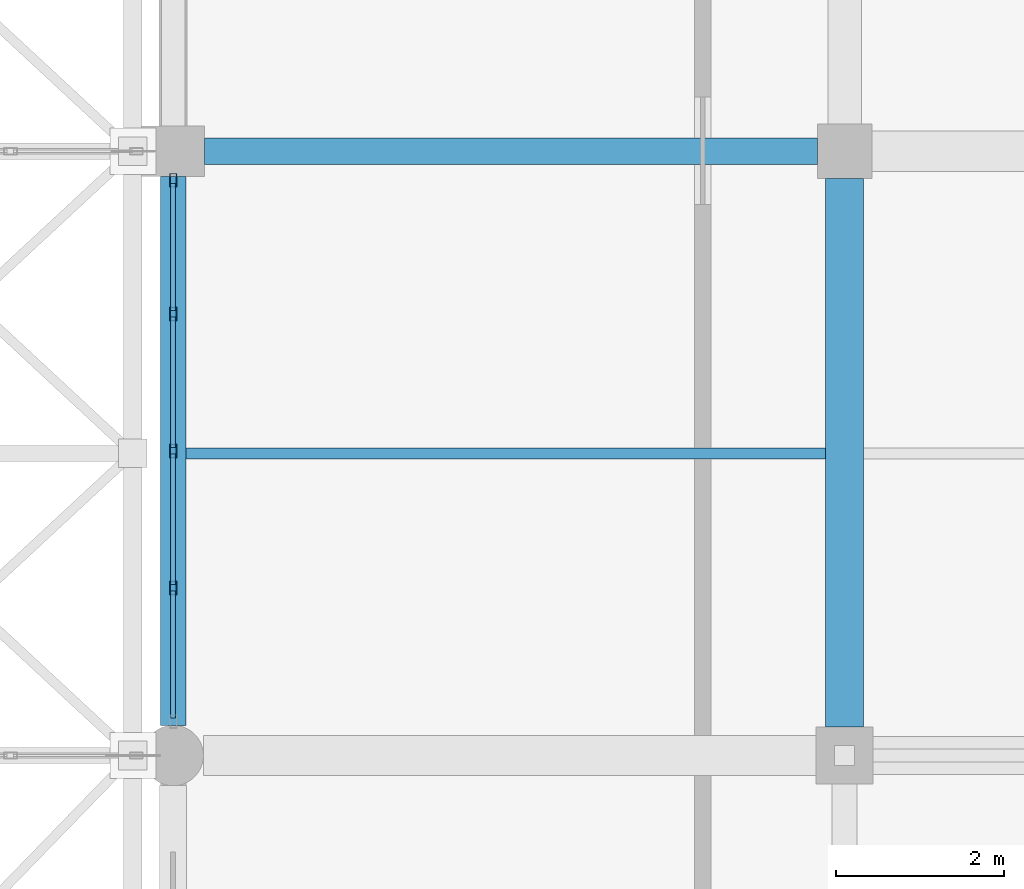
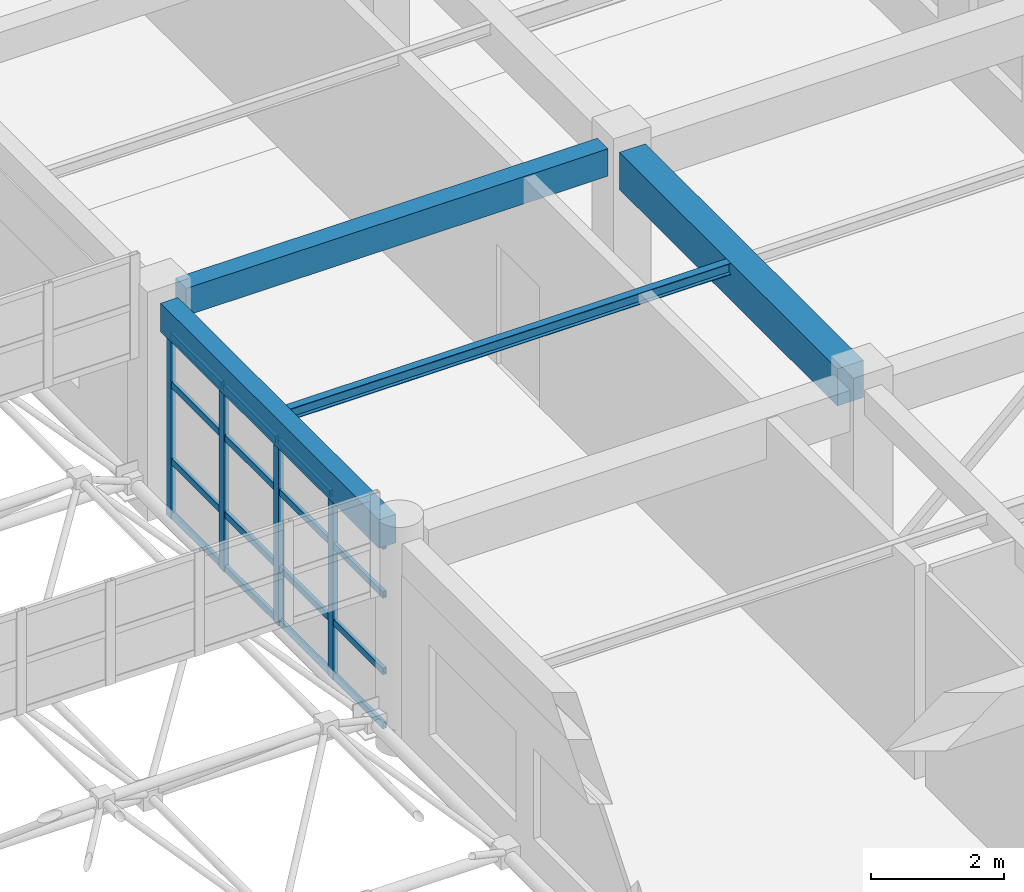
# One storey, part 104 of 195: 20 members, 4 beams, 1 element without a shape of its own.
"""IFC4 building model written with IfcOpenShell, lengths in metres."""

from ifc_helpers import new_model, si_unit, direction, frame, origin, origin_2d, place, context, subcontext, project, spatial, rectangle, hollow_rectangle, i_section, extrude, material, material_profile, profile_set, type_object, element, aggregate, save


model = new_model("IFC4")

# Units and contexts
model_context = context("Model", 3, precision=1e-05, world=origin(), true_north=direction((0.0, 1.0)))
body_context = subcontext(model_context, "Body", "Model", "MODEL_VIEW")
ifc_project = project(units=[si_unit("LENGTHUNIT", "METRE"), si_unit("AREAUNIT", "SQUARE_METRE"), si_unit("VOLUMEUNIT", "CUBIC_METRE"), si_unit("PLANEANGLEUNIT", "RADIAN"), si_unit("MASSUNIT", "GRAM", prefix="KILO")], contexts=[model_context])

# Site, building, storey
site_placement = place(None, origin())
site = spatial("IfcSite", under=ifc_project, at=site_placement, CompositionType="ELEMENT")
building_placement = place(site_placement, origin())
building = spatial("IfcBuilding", under=site, at=building_placement, Name="Kharva Crest Polytechnic", CompositionType="ELEMENT")
storey_placement = place(building_placement, frame((0.0, 0.0, 9.0)))
storey = spatial("IfcBuildingStorey", under=building, at=storey_placement, Name="L02", CompositionType="ELEMENT", Elevation=9.0)

# Beams
ifc_material_1 = material(Name="Concrete C35/45", Category="concrete")
ifc_material_profile_1 = material_profile(ifc_material_1, rectangle(XDim=0.320068359375, YDim=0.5, at=origin_2d()), Name="RECT 320 X 500")
ifc_profile_set_1 = profile_set([ifc_material_profile_1], Name="Concrete C35/45")
beam_type_1 = type_object("IfcBeamType", Name="BM-RC-320X500", PredefinedType="BEAM", material=ifc_profile_set_1)
beam_1_placement = place(storey_placement, frame((32.375, 86.0, 3.669921875), z_axis=(1.0, 0.0, 0.0), x_axis=(0.0, 1.0, 0.0)))
element("IfcBeam", 1, at=beam_1_placement, inside=storey, type_object=beam_type_1, Name="L02 Beam M/5-6", PredefinedType="BEAM", context=body_context, shape_type="SweptSolid", body=[
    extrude(rectangle(XDim=0.320068359375, YDim=0.5, at=origin_2d()), origin(), (0.0, 0.0, 1.0), 7.300048828125),
])
ifc_material_profile_2 = material_profile(ifc_material_1, rectangle(XDim=0.449951171875, YDim=0.679931640625, at=origin_2d()), Name="RECT 450 X 680")
ifc_profile_set_2 = profile_set([ifc_material_profile_2], Name="Concrete C35/45")
beam_type_2 = type_object("IfcBeamType", Name="BM-RC-450X680", PredefinedType="BEAM", material=ifc_profile_set_2)
beam_2_placement = place(storey_placement, frame((40.0, 79.139892578125, 3.580078125), z_axis=(0.0, 1.0, 0.0), x_axis=(-1.0, 0.0, 0.0)))
element("IfcBeam", 2, at=beam_2_placement, inside=storey, type_object=beam_type_2, Name="L02 Girder 6/L-M", PredefinedType="BEAM", context=body_context, shape_type="SweptSolid", body=[
    extrude(rectangle(XDim=0.449951171875, YDim=0.679931640625, at=origin_2d()), origin(), (0.0, 0.0, 1.0), 6.53515625),
])
ifc_material_2 = material(Name="Steel S355", Category="steel")
ifc_material_profile_3 = material_profile(ifc_material_2, i_section(OverallWidth=0.134033203125, OverallDepth=0.2099609375, WebThickness=0.00634765625, FlangeThickness=0.01025390625, at=origin_2d()), Name="W200X31.3")
ifc_profile_set_3 = profile_set([ifc_material_profile_3], Name="Steel S355")
beam_type_3 = type_object("IfcBeamType", Name="BM-STL-W200X31", PredefinedType="JOIST", material=ifc_profile_set_3)
beam_3_placement = place(storey_placement, frame((32.14990234375, 82.39990234375, 3.81494140625), z_axis=(1.0, 0.0, 0.0), x_axis=(0.0, 1.0, 0.0)))
element("IfcBeam", 3, at=beam_3_placement, inside=storey, type_object=beam_type_3, Name="L02 Floor Joist 9", PredefinedType="JOIST", context=body_context, shape_type="SweptSolid", body=[
    extrude(i_section(OverallWidth=0.134033203125, OverallDepth=0.2099609375, WebThickness=0.00634765625, FlangeThickness=0.01025390625, at=origin_2d()), origin(), (0.0, 0.0, 1.0), 7.625),
])

# Curtain wall, members
ifc_material_3 = material(Name="Tempered insulated glass", Category="glass")
curtain_wall_type = type_object("IfcCurtainWallType", Name="CW-SYS-COURT", PredefinedType="USERDEFINED", material=ifc_material_3)
curtain_wall_placement = place(storey_placement, origin())
curtain_wall = element("IfcCurtainWall", 4, at=curtain_wall_placement, inside=storey, type_object=curtain_wall_type, Name="L02 Glazed Curtain Wall CW-098", ObjectType="CURTAIN WALL", PredefinedType="USERDEFINED")
ifc_material_profile_4 = material_profile(ifc_material_2, hollow_rectangle(XDim=0.080078125, YDim=0.159912109375, WallThickness=0.0048828125, at=origin_2d()), Name="RHS 160X80X5.0")
ifc_profile_set_4 = profile_set([ifc_material_profile_4], Name="Steel S355")
member_type_1 = type_object("IfcMemberType", Name="CWM-RHS160X80", PredefinedType="MULLION", material=ifc_profile_set_4)
member_1_placement = place(storey_placement, frame((32.0, 85.655029296875, 0.0), z_axis=(0.0, 0.0, 1.0), x_axis=(1.0, 0.0, 0.0)))
member_1 = element("IfcMember", 5, at=member_1_placement, type_object=member_type_1, Name="CW-098 mullion 1", PredefinedType="MULLION", context=body_context, shape_type="SweptSolid", body=[
    extrude(hollow_rectangle(XDim=0.080078125, YDim=0.159912109375, WallThickness=0.0048828125, at=origin_2d()), origin(), (0.0, 0.0, 1.0), 3.39990234375),
])
member_2_placement = place(storey_placement, frame((32.0, 84.0625, 0.0), z_axis=(0.0, 0.0, 1.0), x_axis=(1.0, 0.0, 0.0)))
member_2 = element("IfcMember", 6, at=member_2_placement, type_object=member_type_1, Name="CW-098 mullion 2", PredefinedType="MULLION", context=body_context, shape_type="SweptSolid", body=[
    extrude(hollow_rectangle(XDim=0.080078125, YDim=0.159912109375, WallThickness=0.0048828125, at=origin_2d()), origin(), (0.0, 0.0, 1.0), 3.39990234375),
])
member_3_placement = place(storey_placement, frame((32.0, 82.429931640625, 0.0), z_axis=(0.0, 0.0, 1.0), x_axis=(1.0, 0.0, 0.0)))
member_3 = element("IfcMember", 7, at=member_3_placement, type_object=member_type_1, Name="CW-098 mullion 3", PredefinedType="MULLION", context=body_context, shape_type="SweptSolid", body=[
    extrude(hollow_rectangle(XDim=0.080078125, YDim=0.159912109375, WallThickness=0.0048828125, at=origin_2d()), origin(), (0.0, 0.0, 1.0), 3.39990234375),
])
member_4_placement = place(storey_placement, frame((32.0, 80.797607421875, 0.0), z_axis=(0.0, 0.0, 1.0), x_axis=(1.0, 0.0, 0.0)))
member_4 = element("IfcMember", 8, at=member_4_placement, type_object=member_type_1, Name="CW-098 mullion 4", PredefinedType="MULLION", context=body_context, shape_type="SweptSolid", body=[
    extrude(hollow_rectangle(XDim=0.080078125, YDim=0.159912109375, WallThickness=0.0048828125, at=origin_2d()), origin(), (0.0, 0.0, 1.0), 3.39990234375),
])
ifc_material_profile_5 = material_profile(ifc_material_2, hollow_rectangle(XDim=0.06005859375, YDim=0.1201171875, WallThickness=0.00390625, at=origin_2d()), Name="RHS 120X60X4.0")
ifc_profile_set_5 = profile_set([ifc_material_profile_5], Name="Steel S355")
member_type_2 = type_object("IfcMemberType", Name="CWT-RHS120X60", PredefinedType="USERDEFINED", material=ifc_profile_set_5)
member_5_placement = place(storey_placement, frame((32.0, 85.614990234375, 0.06005859375), z_axis=(0.0, -1.0, 0.0), x_axis=(1.0, 0.0, 0.0)))
member_5 = element("IfcMember", 9, at=member_5_placement, type_object=member_type_2, Name="CW-098 transom 1.1", ObjectType="TRANSOM", PredefinedType="USERDEFINED", context=body_context, shape_type="SweptSolid", body=[
    extrude(hollow_rectangle(XDim=0.06005859375, YDim=0.1201171875, WallThickness=0.00390625, at=origin_2d()), origin(), (0.0, 0.0, 1.0), 1.512451171875),
])
member_6_placement = place(storey_placement, frame((32.0, 85.614990234375, 1.050048828125), z_axis=(0.0, -1.0, 0.0), x_axis=(1.0, 0.0, 0.0)))
member_6 = element("IfcMember", 10, at=member_6_placement, type_object=member_type_2, Name="CW-098 transom 1.2", ObjectType="TRANSOM", PredefinedType="USERDEFINED", context=body_context, shape_type="SweptSolid", body=[
    extrude(hollow_rectangle(XDim=0.06005859375, YDim=0.1201171875, WallThickness=0.00390625, at=origin_2d()), origin(), (0.0, 0.0, 1.0), 1.512451171875),
])
member_7_placement = place(storey_placement, frame((32.0, 85.614990234375, 2.449951171875), z_axis=(0.0, -1.0, 0.0), x_axis=(1.0, 0.0, 0.0)))
member_7 = element("IfcMember", 11, at=member_7_placement, type_object=member_type_2, Name="CW-098 transom 1.3", ObjectType="TRANSOM", PredefinedType="USERDEFINED", context=body_context, shape_type="SweptSolid", body=[
    extrude(hollow_rectangle(XDim=0.06005859375, YDim=0.1201171875, WallThickness=0.00390625, at=origin_2d()), origin(), (0.0, 0.0, 1.0), 1.512451171875),
])
member_8_placement = place(storey_placement, frame((32.0, 85.614990234375, 3.340087890625), z_axis=(0.0, -1.0, 0.0), x_axis=(1.0, 0.0, 0.0)))
member_8 = element("IfcMember", 12, at=member_8_placement, type_object=member_type_2, Name="CW-098 transom 1.4", ObjectType="TRANSOM", PredefinedType="USERDEFINED", context=body_context, shape_type="SweptSolid", body=[
    extrude(hollow_rectangle(XDim=0.06005859375, YDim=0.1201171875, WallThickness=0.00390625, at=origin_2d()), origin(), (0.0, 0.0, 1.0), 1.512451171875),
])
member_9_placement = place(storey_placement, frame((32.0, 84.0224609375, 0.06005859375), z_axis=(0.0, -1.0, 0.0), x_axis=(1.0, 0.0, 0.0)))
member_9 = element("IfcMember", 13, at=member_9_placement, type_object=member_type_2, Name="CW-098 transom 2.1", ObjectType="TRANSOM", PredefinedType="USERDEFINED", context=body_context, shape_type="SweptSolid", body=[
    extrude(hollow_rectangle(XDim=0.06005859375, YDim=0.1201171875, WallThickness=0.00390625, at=origin_2d()), origin(), (0.0, 0.0, 1.0), 1.552490234375),
])
member_10_placement = place(storey_placement, frame((32.0, 84.0224609375, 1.050048828125), z_axis=(0.0, -1.0, 0.0), x_axis=(1.0, 0.0, 0.0)))
member_10 = element("IfcMember", 14, at=member_10_placement, type_object=member_type_2, Name="CW-098 transom 2.2", ObjectType="TRANSOM", PredefinedType="USERDEFINED", context=body_context, shape_type="SweptSolid", body=[
    extrude(hollow_rectangle(XDim=0.06005859375, YDim=0.1201171875, WallThickness=0.00390625, at=origin_2d()), origin(), (0.0, 0.0, 1.0), 1.552490234375),
])
member_11_placement = place(storey_placement, frame((32.0, 84.0224609375, 2.449951171875), z_axis=(0.0, -1.0, 0.0), x_axis=(1.0, 0.0, 0.0)))
member_11 = element("IfcMember", 15, at=member_11_placement, type_object=member_type_2, Name="CW-098 transom 2.3", ObjectType="TRANSOM", PredefinedType="USERDEFINED", context=body_context, shape_type="SweptSolid", body=[
    extrude(hollow_rectangle(XDim=0.06005859375, YDim=0.1201171875, WallThickness=0.00390625, at=origin_2d()), origin(), (0.0, 0.0, 1.0), 1.552490234375),
])
member_12_placement = place(storey_placement, frame((32.0, 84.0224609375, 3.340087890625), z_axis=(0.0, -1.0, 0.0), x_axis=(1.0, 0.0, 0.0)))
member_12 = element("IfcMember", 16, at=member_12_placement, type_object=member_type_2, Name="CW-098 transom 2.4", ObjectType="TRANSOM", PredefinedType="USERDEFINED", context=body_context, shape_type="SweptSolid", body=[
    extrude(hollow_rectangle(XDim=0.06005859375, YDim=0.1201171875, WallThickness=0.00390625, at=origin_2d()), origin(), (0.0, 0.0, 1.0), 1.552490234375),
])
member_13_placement = place(storey_placement, frame((32.0, 82.389892578125, 0.06005859375), z_axis=(0.0, -1.0, 0.0), x_axis=(1.0, 0.0, 0.0)))
member_13 = element("IfcMember", 17, at=member_13_placement, type_object=member_type_2, Name="CW-098 transom 3.1", ObjectType="TRANSOM", PredefinedType="USERDEFINED", context=body_context, shape_type="SweptSolid", body=[
    extrude(hollow_rectangle(XDim=0.06005859375, YDim=0.1201171875, WallThickness=0.00390625, at=origin_2d()), origin(), (0.0, 0.0, 1.0), 1.552490234375),
])
member_14_placement = place(storey_placement, frame((32.0, 82.389892578125, 1.050048828125), z_axis=(0.0, -1.0, 0.0), x_axis=(1.0, 0.0, 0.0)))
member_14 = element("IfcMember", 18, at=member_14_placement, type_object=member_type_2, Name="CW-098 transom 3.2", ObjectType="TRANSOM", PredefinedType="USERDEFINED", context=body_context, shape_type="SweptSolid", body=[
    extrude(hollow_rectangle(XDim=0.06005859375, YDim=0.1201171875, WallThickness=0.00390625, at=origin_2d()), origin(), (0.0, 0.0, 1.0), 1.552490234375),
])
member_15_placement = place(storey_placement, frame((32.0, 82.389892578125, 2.449951171875), z_axis=(0.0, -1.0, 0.0), x_axis=(1.0, 0.0, 0.0)))
member_15 = element("IfcMember", 19, at=member_15_placement, type_object=member_type_2, Name="CW-098 transom 3.3", ObjectType="TRANSOM", PredefinedType="USERDEFINED", context=body_context, shape_type="SweptSolid", body=[
    extrude(hollow_rectangle(XDim=0.06005859375, YDim=0.1201171875, WallThickness=0.00390625, at=origin_2d()), origin(), (0.0, 0.0, 1.0), 1.552490234375),
])
member_16_placement = place(storey_placement, frame((32.0, 82.389892578125, 3.340087890625), z_axis=(0.0, -1.0, 0.0), x_axis=(1.0, 0.0, 0.0)))
member_16 = element("IfcMember", 20, at=member_16_placement, type_object=member_type_2, Name="CW-098 transom 3.4", ObjectType="TRANSOM", PredefinedType="USERDEFINED", context=body_context, shape_type="SweptSolid", body=[
    extrude(hollow_rectangle(XDim=0.06005859375, YDim=0.1201171875, WallThickness=0.00390625, at=origin_2d()), origin(), (0.0, 0.0, 1.0), 1.552490234375),
])
member_17_placement = place(storey_placement, frame((32.0, 80.757568359375, 0.06005859375), z_axis=(0.0, -1.0, 0.0), x_axis=(1.0, 0.0, 0.0)))
member_17 = element("IfcMember", 21, at=member_17_placement, type_object=member_type_2, Name="CW-098 transom 4.1", ObjectType="TRANSOM", PredefinedType="USERDEFINED", context=body_context, shape_type="SweptSolid", body=[
    extrude(hollow_rectangle(XDim=0.06005859375, YDim=0.1201171875, WallThickness=0.00390625, at=origin_2d()), origin(), (0.0, 0.0, 1.0), 1.512451171875),
])
member_18_placement = place(storey_placement, frame((32.0, 80.757568359375, 1.050048828125), z_axis=(0.0, -1.0, 0.0), x_axis=(1.0, 0.0, 0.0)))
member_18 = element("IfcMember", 22, at=member_18_placement, type_object=member_type_2, Name="CW-098 transom 4.2", ObjectType="TRANSOM", PredefinedType="USERDEFINED", context=body_context, shape_type="SweptSolid", body=[
    extrude(hollow_rectangle(XDim=0.06005859375, YDim=0.1201171875, WallThickness=0.00390625, at=origin_2d()), origin(), (0.0, 0.0, 1.0), 1.512451171875),
])
member_19_placement = place(storey_placement, frame((32.0, 80.757568359375, 2.449951171875), z_axis=(0.0, -1.0, 0.0), x_axis=(1.0, 0.0, 0.0)))
member_19 = element("IfcMember", 23, at=member_19_placement, type_object=member_type_2, Name="CW-098 transom 4.3", ObjectType="TRANSOM", PredefinedType="USERDEFINED", context=body_context, shape_type="SweptSolid", body=[
    extrude(hollow_rectangle(XDim=0.06005859375, YDim=0.1201171875, WallThickness=0.00390625, at=origin_2d()), origin(), (0.0, 0.0, 1.0), 1.512451171875),
])
member_20_placement = place(storey_placement, frame((32.0, 80.757568359375, 3.340087890625), z_axis=(0.0, -1.0, 0.0), x_axis=(1.0, 0.0, 0.0)))
member_20 = element("IfcMember", 24, at=member_20_placement, type_object=member_type_2, Name="CW-098 transom 4.4", ObjectType="TRANSOM", PredefinedType="USERDEFINED", context=body_context, shape_type="SweptSolid", body=[
    extrude(hollow_rectangle(XDim=0.06005859375, YDim=0.1201171875, WallThickness=0.00390625, at=origin_2d()), origin(), (0.0, 0.0, 1.0), 1.512451171875),
])
aggregate(curtain_wall, [member_1, member_2, member_3, member_4, member_5, member_6, member_7, member_8, member_9, member_10, member_11, member_12, member_13, member_14, member_15, member_16, member_17, member_18, member_19, member_20])

# Beam
ifc_material_profile_6 = material_profile(ifc_material_1, rectangle(XDim=0.300048828125, YDim=0.52001953125, at=origin_2d()), Name="RECT 300 X 520")
ifc_profile_set_6 = profile_set([ifc_material_profile_6], Name="Concrete C35/45")
beam_type_4 = type_object("IfcBeamType", Name="SP-RC-300X520", PredefinedType="SPANDREL", material=ifc_profile_set_6)
beam_4_placement = place(storey_placement, frame((32.0, 79.159912109375, 3.659912109375), z_axis=(0.0, 1.0, 0.0), x_axis=(-1.0, 0.0, 0.0)))
element("IfcBeam", 25, at=beam_4_placement, inside=storey, type_object=beam_type_4, Name="L02 Girder 5/L-M", PredefinedType="SPANDREL", context=body_context, shape_type="SweptSolid", body=[
    extrude(rectangle(XDim=0.300048828125, YDim=0.52001953125, at=origin_2d()), origin(), (0.0, 0.0, 1.0), 6.5400390625),
])

save(model, "model.ifc")
